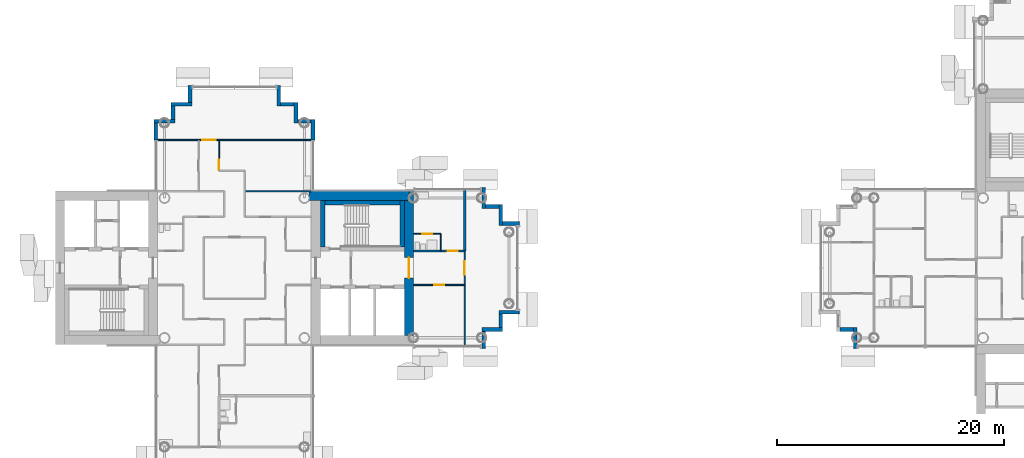
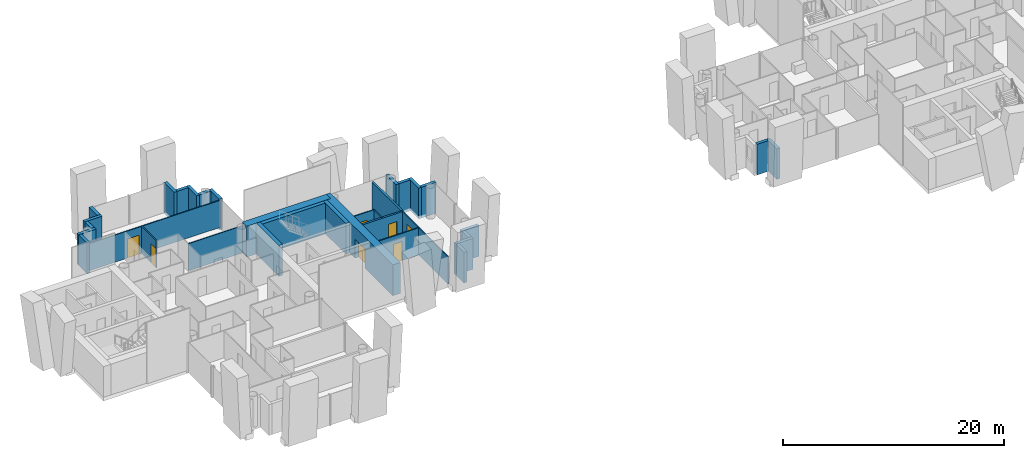
# One storey, part 8 of 19: 34 walls, 7 doors, 7 openings.
"""IFC4 building model written with IfcOpenShell, lengths in metres."""

from ifc_helpers import new_model, si_unit, direction, frame, frame_2d, origin, place, context, subcontext, project, spatial, rectangle, extrude, material, layer, layer_set, type_object, element, fill, save


model = new_model("IFC4")

# Units and contexts
model_context = context("Model", 3, precision=1e-05, world=origin(), true_north=direction((0.0, 1.0)))
body_context = subcontext(model_context, "Body", "Model", "MODEL_VIEW")
ifc_project = project(units=[si_unit("LENGTHUNIT", "METRE"), si_unit("AREAUNIT", "SQUARE_METRE"), si_unit("VOLUMEUNIT", "CUBIC_METRE"), si_unit("PLANEANGLEUNIT", "RADIAN"), si_unit("MASSUNIT", "GRAM", prefix="KILO")], contexts=[model_context])

# Site, building, storey
site_placement = place(None, origin())
site = spatial("IfcSite", under=ifc_project, at=site_placement, CompositionType="ELEMENT")
building_placement = place(site_placement, origin())
building = spatial("IfcBuilding", under=site, at=building_placement, Name="Ipe Terrace Towers", CompositionType="ELEMENT")
storey_placement = place(building_placement, frame((0.0, 0.0, 157.5)))
storey = spatial("IfcBuildingStorey", under=building, at=storey_placement, Name="L43", CompositionType="ELEMENT", Elevation=157.5)

# Walls
ifc_material_1 = material(Name="Concrete C40/50 with buff precast cladding", Category="concrete")
ifc_layer_1 = layer(ifc_material_1, 0.320068359375)
ifc_layer_set_1 = layer_set([ifc_layer_1], Name="BUFF CLADDING WALL 320")
wall_type_1 = type_object("IfcWallType", Name="BUFF CLADDING WALL 320", PredefinedType="STANDARD", material=ifc_layer_set_1)
wall_1_placement = place(storey_placement, frame((-14.090087890625, -7.070068359375, -0.300048828125), z_axis=(0.0, 0.0, 1.0), x_axis=(0.0, 1.0, 0.0)))
element("IfcWall", 1, at=wall_1_placement, inside=storey, type_object=wall_type_1, Name="T1-W-L43-17a wall", PredefinedType="STANDARD", context=body_context, shape_type="SweptSolid", body=[
    extrude(rectangle(XDim=1.5, YDim=0.320068359375, at=frame_2d((0.75, 0.0))), origin(), (0.0, 0.0, 1.0), 3.400146484375),
])
wall_2_placement = place(storey_placement, frame((-14.25, -5.409912109375, -0.300048828125), z_axis=(0.0, 0.0, 1.0), x_axis=(1.0, 0.0, 0.0)))
element("IfcWall", 2, at=wall_2_placement, inside=storey, type_object=wall_type_1, Name="T1-W-L43-18a wall", PredefinedType="STANDARD", context=body_context, shape_type="SweptSolid", body=[
    extrude(rectangle(XDim=1.820068359375, YDim=0.320068359375, at=frame_2d((0.91015625, 0.0))), origin(), (0.0, 0.0, 1.0), 3.400146484375),
])
wall_3_placement = place(storey_placement, frame((-12.590087890625, -5.25, -0.300048828125), z_axis=(0.0, 0.0, 1.0), x_axis=(0.0, 1.0, 0.0)))
element("IfcWall", 3, at=wall_3_placement, inside=storey, type_object=wall_type_1, Name="T1-W-L43-19a wall", PredefinedType="STANDARD", context=body_context, shape_type="SweptSolid", body=[
    extrude(rectangle(XDim=1.179931640625, YDim=0.320068359375, at=frame_2d((0.58984375, 0.0))), origin(), (0.0, 0.0, 1.0), 3.400146484375),
])
wall_4_placement = place(storey_placement, frame((-12.75, -3.909912109375, -0.300048828125), z_axis=(0.0, 0.0, 1.0), x_axis=(1.0, 0.0, 0.0)))
element("IfcWall", 4, at=wall_4_placement, inside=storey, type_object=wall_type_1, Name="T1-W-L43-20a wall", PredefinedType="STANDARD", context=body_context, shape_type="SweptSolid", body=[
    extrude(rectangle(XDim=1.820068359375, YDim=0.320068359375, at=frame_2d((0.91015625, 0.0))), origin(), (0.0, 0.0, 1.0), 3.400146484375),
])
wall_5_placement = place(storey_placement, frame((-10.929931640625, 3.909912109375, -0.300048828125), z_axis=(0.0, 0.0, 1.0), x_axis=(-1.0, 0.0, 0.0)))
element("IfcWall", 5, at=wall_5_placement, inside=storey, type_object=wall_type_1, Name="T1-W-L43-22a wall", PredefinedType="STANDARD", context=body_context, shape_type="SweptSolid", body=[
    extrude(rectangle(XDim=1.5, YDim=0.320068359375, at=frame_2d((0.75, 0.0))), origin(), (0.0, 0.0, 1.0), 3.400146484375),
])
wall_6_placement = place(storey_placement, frame((-12.590087890625, 3.75, -0.300048828125), z_axis=(0.0, 0.0, 1.0), x_axis=(0.0, 1.0, 0.0)))
element("IfcWall", 6, at=wall_6_placement, inside=storey, type_object=wall_type_1, Name="T1-W-L43-23a wall", PredefinedType="STANDARD", context=body_context, shape_type="SweptSolid", body=[
    extrude(rectangle(XDim=1.820068359375, YDim=0.320068359375, at=frame_2d((0.91015625, 0.0))), origin(), (0.0, 0.0, 1.0), 3.400146484375),
])
wall_7_placement = place(storey_placement, frame((-12.75, 5.409912109375, -0.300048828125), z_axis=(0.0, 0.0, 1.0), x_axis=(-1.0, 0.0, 0.0)))
element("IfcWall", 7, at=wall_7_placement, inside=storey, type_object=wall_type_1, Name="T1-W-L43-24a wall", PredefinedType="STANDARD", context=body_context, shape_type="SweptSolid", body=[
    extrude(rectangle(XDim=1.179931640625, YDim=0.320068359375, at=frame_2d((0.58984375, 0.0))), origin(), (0.0, 0.0, 1.0), 3.400146484375),
])
for number, where, z_axis, x_axis, name in (
    (8, (-14.090087890625, 5.25, -0.300048828125), (0.0, 0.0, 1.0), (0.0, 1.0, 0.0), "T1-W-L43-25a wall"),
    (9, (-29.090087890625, 11.25, -0.300048828125), (0.0, 0.0, 1.0), (0.0, 1.0, 0.0), "T1-W-L43-29a wall"),
):
    element("IfcWall", number, at=place(storey_placement, frame(where, z_axis=z_axis, x_axis=x_axis)), inside=storey, type_object=wall_type_1, Name=name, PredefinedType="STANDARD", context=body_context, shape_type="SweptSolid", body=[
        extrude(rectangle(XDim=1.820068359375, YDim=0.320068359375, at=frame_2d((0.91015625, 0.0))), origin(), (0.0, 0.0, 1.0), 3.400146484375),
    ])
wall_8_placement = place(storey_placement, frame((-29.25, 12.909912109375, -0.300048828125), z_axis=(0.0, 0.0, 1.0), x_axis=(-1.0, 0.0, 0.0)))
element("IfcWall", 10, at=wall_8_placement, inside=storey, type_object=wall_type_1, Name="T1-W-L43-30a wall", PredefinedType="STANDARD", context=body_context, shape_type="SweptSolid", body=[
    extrude(rectangle(XDim=1.179931640625, YDim=0.320068359375, at=frame_2d((0.58984375, 0.0))), origin(), (0.0, 0.0, 1.0), 3.400146484375),
])
wall_9_placement = place(storey_placement, frame((-30.590087890625, 12.75, -0.300048828125), z_axis=(0.0, 0.0, 1.0), x_axis=(0.0, 1.0, 0.0)))
element("IfcWall", 11, at=wall_9_placement, inside=storey, type_object=wall_type_1, Name="T1-W-L43-31a wall", PredefinedType="STANDARD", context=body_context, shape_type="SweptSolid", body=[
    extrude(rectangle(XDim=1.820068359375, YDim=0.320068359375, at=frame_2d((0.91015625, 0.0))), origin(), (0.0, 0.0, 1.0), 3.400146484375),
])
wall_10_placement = place(storey_placement, frame((-30.75, 14.409912109375, -0.300048828125), z_axis=(0.0, 0.0, 1.0), x_axis=(-1.0, 0.0, 0.0)))
element("IfcWall", 12, at=wall_10_placement, inside=storey, type_object=wall_type_1, Name="T1-W-L43-32a wall", PredefinedType="STANDARD", context=body_context, shape_type="SweptSolid", body=[
    extrude(rectangle(XDim=1.179931640625, YDim=0.320068359375, at=frame_2d((0.58984375, 0.0))), origin(), (0.0, 0.0, 1.0), 3.400146484375),
])
wall_11_placement = place(storey_placement, frame((-32.090087890625, 14.25, -0.300048828125), z_axis=(0.0, 0.0, 1.0), x_axis=(0.0, 1.0, 0.0)))
element("IfcWall", 13, at=wall_11_placement, inside=storey, type_object=wall_type_1, Name="T1-W-L43-33a wall", PredefinedType="STANDARD", context=body_context, shape_type="SweptSolid", body=[
    extrude(rectangle(XDim=1.820068359375, YDim=0.320068359375, at=frame_2d((0.91015625, 0.0))), origin(), (0.0, 0.0, 1.0), 3.400146484375),
])
wall_12_placement = place(storey_placement, frame((-39.909912109375, 16.070068359375, -0.300048828125), z_axis=(0.0, 0.0, 1.0), x_axis=(0.0, -1.0, 0.0)))
element("IfcWall", 14, at=wall_12_placement, inside=storey, type_object=wall_type_1, Name="T1-W-L43-35a wall", PredefinedType="STANDARD", context=body_context, shape_type="SweptSolid", body=[
    extrude(rectangle(XDim=1.5, YDim=0.320068359375, at=frame_2d((0.75, 0.0))), origin(), (0.0, 0.0, 1.0), 3.400146484375),
])
wall_13_placement = place(storey_placement, frame((-39.75, 14.409912109375, -0.300048828125), z_axis=(0.0, 0.0, 1.0), x_axis=(-1.0, 0.0, 0.0)))
element("IfcWall", 15, at=wall_13_placement, inside=storey, type_object=wall_type_1, Name="T1-W-L43-36a wall", PredefinedType="STANDARD", context=body_context, shape_type="SweptSolid", body=[
    extrude(rectangle(XDim=1.820068359375, YDim=0.320068359375, at=frame_2d((0.91015625, 0.0))), origin(), (0.0, 0.0, 1.0), 3.400146484375),
])
wall_14_placement = place(storey_placement, frame((-41.409912109375, 14.25, -0.300048828125), z_axis=(0.0, 0.0, 1.0), x_axis=(0.0, -1.0, 0.0)))
element("IfcWall", 16, at=wall_14_placement, inside=storey, type_object=wall_type_1, Name="T1-W-L43-37a wall", PredefinedType="STANDARD", context=body_context, shape_type="SweptSolid", body=[
    extrude(rectangle(XDim=1.179931640625, YDim=0.320068359375, at=frame_2d((0.58984375, 0.0))), origin(), (0.0, 0.0, 1.0), 3.400146484375),
])
wall_15_placement = place(storey_placement, frame((-41.25, 12.909912109375, -0.300048828125), z_axis=(0.0, 0.0, 1.0), x_axis=(-1.0, 0.0, 0.0)))
element("IfcWall", 17, at=wall_15_placement, inside=storey, type_object=wall_type_1, Name="T1-W-L43-38a wall", PredefinedType="STANDARD", context=body_context, shape_type="SweptSolid", body=[
    extrude(rectangle(XDim=1.820068359375, YDim=0.320068359375, at=frame_2d((0.91015625, 0.0))), origin(), (0.0, 0.0, 1.0), 3.400146484375),
])
wall_16_placement = place(storey_placement, frame((-42.909912109375, 12.75, -0.300048828125), z_axis=(0.0, 0.0, 1.0), x_axis=(0.0, -1.0, 0.0)))
element("IfcWall", 18, at=wall_16_placement, inside=storey, type_object=wall_type_1, Name="T1-W-L43-39a wall", PredefinedType="STANDARD", context=body_context, shape_type="SweptSolid", body=[
    extrude(rectangle(XDim=1.5, YDim=0.320068359375, at=frame_2d((0.75, 0.0))), origin(), (0.0, 0.0, 1.0), 3.400146484375),
])
wall_17_placement = place(storey_placement, frame((17.25, -5.409912109375, -0.300048828125), z_axis=(0.0, 0.0, 1.0), x_axis=(1.0, 0.0, 0.0)))
element("IfcWall", 19, at=wall_17_placement, inside=storey, type_object=wall_type_1, Name="T2-W-L43-37a wall", PredefinedType="STANDARD", context=body_context, shape_type="SweptSolid", body=[
    extrude(rectangle(XDim=1.179931640625, YDim=0.320068359375, at=frame_2d((0.58984375, 0.0))), origin(), (0.0, 0.0, 1.0), 3.400146484375),
])
wall_18_placement = place(storey_placement, frame((18.590087890625, -5.25, -0.300048828125), z_axis=(0.0, 0.0, 1.0), x_axis=(0.0, -1.0, 0.0)))
element("IfcWall", 20, at=wall_18_placement, inside=storey, type_object=wall_type_1, Name="T2-W-L43-38a wall", PredefinedType="STANDARD", context=body_context, shape_type="SweptSolid", body=[
    extrude(rectangle(XDim=1.820068359375, YDim=0.320068359375, at=frame_2d((0.91015625, 0.0))), origin(), (0.0, 0.0, 1.0), 3.400146484375),
])

# Wall, opening, door
ifc_material_2 = material(Name="Gypsum board partition", Category="plasterboard")
ifc_layer_2 = layer(ifc_material_2, 0.10009765625)
ifc_layer_set_2 = layer_set([ifc_layer_2], Name="Gypsum board partition 100 mm")
wall_type_2 = type_object("IfcWallType", Name="Gypsum board partition 100 mm", PredefinedType="PARTITIONING", material=ifc_layer_set_2)
wall_19_placement = place(storey_placement, frame((-37.35009765625, 8.550048828125, 0.0), z_axis=(0.0, 0.0, 1.0), x_axis=(0.0, 1.0, 0.0)))
wall_19 = element("IfcWall", 21, at=wall_19_placement, inside=storey, type_object=wall_type_2, Name="Gypsum board partition T1 L43 W07", PredefinedType="PARTITIONING", context=body_context, shape_type="SweptSolid", body=[
    extrude(rectangle(XDim=2.699951171875, YDim=0.10009765625, at=frame_2d((1.35009765625, 0.0))), origin(), (0.0, 0.0, 1.0), 3.0),
])
opening_1_placement = place(wall_19_placement, frame((0.070068359375, 0.0, 0.0)))
opening_1 = element("IfcOpeningElement", 22, at=opening_1_placement, cuts=wall_19, Name="Opening T1-Z3C-11", PredefinedType="OPENING", context=body_context, shape_type="SweptSolid", body=[
    extrude(rectangle(XDim=0.89990234375, YDim=2.10009765625, at=frame_2d((0.449951171875, 1.050048828125))), frame((0.0, 0.06005859375, 0.0), z_axis=(0.0, -1.0, 0.0), x_axis=(1.0, 0.0, 0.0)), (0.0, 0.0, 1.0), 0.1201171875),
])
ifc_material_3 = material(Name="Timber door leaf", Category="wood")
door_type_1 = type_object("IfcDoorType", Name="Lounge door 900 x 2100", OperationType="NOTDEFINED", PredefinedType="DOOR", material=ifc_material_3)
door_1_placement = place(opening_1_placement, origin())
door_1 = element("IfcDoor", 23, at=door_1_placement, inside=storey, type_object=door_type_1, Name="Lounge door T1-Z3C-11", OperationType="SINGLE_SWING_LEFT", OverallHeight=2.10009765625, OverallWidth=0.89990234375, PredefinedType="DOOR", context=body_context, shape_type="SweptSolid", body=[
    extrude(rectangle(XDim=0.89990234375, YDim=2.10009765625, at=frame_2d((0.449951171875, 1.050048828125))), frame((0.0, 0.02490234375, 0.0), z_axis=(0.0, -1.0, 0.0), x_axis=(1.0, 0.0, 0.0)), (0.0, 0.0, 1.0), 0.050048828125),
])
fill(opening_1, door_1)

# Wall
wall_20_placement = place(storey_placement, frame((-17.85009765625, 1.5, 0.0), z_axis=(0.0, 0.0, 1.0), x_axis=(0.0, 1.0, 0.0)))
element("IfcWall", 24, at=wall_20_placement, inside=storey, type_object=wall_type_2, Name="Gypsum board partition T1 L43 W17", PredefinedType="PARTITIONING", context=body_context, shape_type="SweptSolid", body=[
    extrude(rectangle(XDim=1.5, YDim=0.10009765625, at=frame_2d((0.75, 0.0))), origin(), (0.0, 0.0, 1.0), 3.0),
])

# Wall, opening, door
wall_21_placement = place(storey_placement, frame((-15.75, -6.85009765625, 0.0), z_axis=(0.0, 0.0, 1.0), x_axis=(0.0, 1.0, 0.0)))
wall_21 = element("IfcWall", 25, at=wall_21_placement, inside=storey, type_object=wall_type_2, Name="Gypsum board partition T1 L43 W18", PredefinedType="PARTITIONING", context=body_context, shape_type="SweptSolid", body=[
    extrude(rectangle(XDim=8.35009765625, YDim=0.10009765625, at=frame_2d((4.175048828125, 0.0))), origin(), (0.0, 0.0, 1.0), 3.0),
])
opening_2_placement = place(wall_21_placement, frame((6.25, 0.0, 0.0)))
opening_2 = element("IfcOpeningElement", 26, at=opening_2_placement, cuts=wall_21, Name="Opening T1-Z3C-21", PredefinedType="OPENING", context=body_context, shape_type="SweptSolid", body=[
    extrude(rectangle(XDim=1.199951171875, YDim=2.10009765625, at=frame_2d((0.60009765625, 1.050048828125))), frame((0.0, 0.06005859375, 0.0), z_axis=(0.0, -1.0, 0.0), x_axis=(1.0, 0.0, 0.0)), (0.0, 0.0, 1.0), 0.1201171875),
])
ifc_material_4 = material(Name="Timber door leaf", Category="wood")
door_type_2 = type_object("IfcDoorType", Name="Lounge door 1200 x 2100", OperationType="NOTDEFINED", PredefinedType="DOOR", material=ifc_material_4)
door_2_placement = place(opening_2_placement, origin())
door_2 = element("IfcDoor", 27, at=door_2_placement, inside=storey, type_object=door_type_2, Name="Lounge door T1-Z3C-21", OperationType="SINGLE_SWING_RIGHT", OverallHeight=2.10009765625, OverallWidth=1.199951171875, PredefinedType="DOOR", context=body_context, shape_type="SweptSolid", body=[
    extrude(rectangle(XDim=1.199951171875, YDim=2.10009765625, at=frame_2d((0.60009765625, 1.050048828125))), frame((0.0, 0.02490234375, 0.0), z_axis=(0.0, -1.0, 0.0), x_axis=(1.0, 0.0, 0.0)), (0.0, 0.0, 1.0), 0.050048828125),
])
fill(opening_2, door_2)

wall_22_placement = place(storey_placement, frame((-20.25, -1.5, 0.0), z_axis=(0.0, 0.0, 1.0), x_axis=(1.0, 0.0, 0.0)))
wall_22 = element("IfcWall", 28, at=wall_22_placement, inside=storey, type_object=wall_type_2, Name="Gypsum board partition T1 L43 W32", PredefinedType="PARTITIONING", context=body_context, shape_type="SweptSolid", body=[
    extrude(rectangle(XDim=4.5, YDim=0.10009765625, at=frame_2d((2.25, 0.0))), origin(), (0.0, 0.0, 1.0), 3.0),
])
opening_3_placement = place(wall_22_placement, frame((1.800048828125, 0.0, 0.0)))
opening_3 = element("IfcOpeningElement", 29, at=opening_3_placement, cuts=wall_22, Name="Opening T1-Z3C-20", PredefinedType="OPENING", context=body_context, shape_type="SweptSolid", body=[
    extrude(rectangle(XDim=0.89990234375, YDim=2.10009765625, at=frame_2d((0.449951171875, 1.050048828125))), frame((0.0, 0.06005859375, 0.0), z_axis=(0.0, -1.0, 0.0), x_axis=(1.0, 0.0, 0.0)), (0.0, 0.0, 1.0), 0.1201171875),
])
door_3_placement = place(opening_3_placement, origin())
door_3 = element("IfcDoor", 30, at=door_3_placement, inside=storey, type_object=door_type_1, Name="Lounge door T1-Z3C-20", OperationType="SINGLE_SWING_RIGHT", OverallHeight=2.10009765625, OverallWidth=0.89990234375, PredefinedType="DOOR", context=body_context, shape_type="SweptSolid", body=[
    extrude(rectangle(XDim=0.89990234375, YDim=2.10009765625, at=frame_2d((0.449951171875, 1.050048828125))), frame((0.0, 0.02490234375, 0.0), z_axis=(0.0, -1.0, 0.0), x_axis=(1.0, 0.0, 0.0)), (0.0, 0.0, 1.0), 0.050048828125),
])
fill(opening_3, door_3)

wall_23_placement = place(storey_placement, frame((-20.25, 3.0, 0.0), z_axis=(0.0, 0.0, 1.0), x_axis=(1.0, 0.0, 0.0)))
wall_23 = element("IfcWall", 31, at=wall_23_placement, inside=storey, type_object=wall_type_2, Name="Gypsum board partition T1 L43 W37", PredefinedType="PARTITIONING", context=body_context, shape_type="SweptSolid", body=[
    extrude(rectangle(XDim=2.39990234375, YDim=0.10009765625, at=frame_2d((1.199951171875, 0.0))), origin(), (0.0, 0.0, 1.0), 3.0),
])
opening_4_placement = place(wall_23_placement, frame((0.75, 0.0, 0.0)))
opening_4 = element("IfcOpeningElement", 32, at=opening_4_placement, cuts=wall_23, Name="Opening T1-Z3C-19", PredefinedType="OPENING", context=body_context, shape_type="SweptSolid", body=[
    extrude(rectangle(XDim=0.89990234375, YDim=2.10009765625, at=frame_2d((0.449951171875, 1.050048828125))), frame((0.0, 0.06005859375, 0.0), z_axis=(0.0, -1.0, 0.0), x_axis=(1.0, 0.0, 0.0)), (0.0, 0.0, 1.0), 0.1201171875),
])
ifc_material_5 = material(Name="Timber door leaf", Category="wood")
door_type_3 = type_object("IfcDoorType", Name="Bathroom door 900 x 2100", OperationType="NOTDEFINED", PredefinedType="DOOR", material=ifc_material_5)
door_4_placement = place(opening_4_placement, origin())
door_4 = element("IfcDoor", 33, at=door_4_placement, inside=storey, type_object=door_type_3, Name="Bathroom door T1-Z3C-19", OperationType="SINGLE_SWING_RIGHT", OverallHeight=2.10009765625, OverallWidth=0.89990234375, PredefinedType="DOOR", context=body_context, shape_type="SweptSolid", body=[
    extrude(rectangle(XDim=0.89990234375, YDim=2.10009765625, at=frame_2d((0.449951171875, 1.050048828125))), frame((0.0, 0.02490234375, 0.0), z_axis=(0.0, -1.0, 0.0), x_axis=(1.0, 0.0, 0.0)), (0.0, 0.0, 1.0), 0.050048828125),
])
fill(opening_4, door_4)

# Wall
wall_24_placement = place(storey_placement, frame((-35.10009765625, 6.75, 0.0), z_axis=(0.0, 0.0, 1.0), x_axis=(1.0, 0.0, 0.0)))
element("IfcWall", 34, at=wall_24_placement, inside=storey, type_object=wall_type_2, Name="Gypsum board partition T1 L43 W42", PredefinedType="PARTITIONING", context=body_context, shape_type="SweptSolid", body=[
    extrude(rectangle(XDim=5.9501953125, YDim=0.10009765625, at=frame_2d((2.97509765625, 0.0))), origin(), (0.0, 0.0, 1.0), 3.0),
])

# Wall, opening, door
wall_25_placement = place(storey_placement, frame((-42.85009765625, 11.25, 0.0), z_axis=(0.0, 0.0, 1.0), x_axis=(1.0, 0.0, 0.0)))
wall_25 = element("IfcWall", 35, at=wall_25_placement, inside=storey, type_object=wall_type_2, Name="Gypsum board partition T1 L43 W44", PredefinedType="PARTITIONING", context=body_context, shape_type="SweptSolid", body=[
    extrude(rectangle(XDim=13.7001953125, YDim=0.10009765625, at=frame_2d((6.85009765625, 0.0))), origin(), (0.0, 0.0, 1.0), 3.0),
])
opening_5_placement = place(wall_25_placement, frame((4.0, 0.0, 0.0)))
opening_5 = element("IfcOpeningElement", 36, at=opening_5_placement, cuts=wall_25, Name="Opening T1-Z3C-12", PredefinedType="OPENING", context=body_context, shape_type="SweptSolid", body=[
    extrude(rectangle(XDim=1.199951171875, YDim=2.10009765625, at=frame_2d((0.60009765625, 1.050048828125))), frame((0.0, 0.06005859375, 0.0), z_axis=(0.0, -1.0, 0.0), x_axis=(1.0, 0.0, 0.0)), (0.0, 0.0, 1.0), 0.1201171875),
])
door_5_placement = place(opening_5_placement, origin())
door_5 = element("IfcDoor", 37, at=door_5_placement, inside=storey, type_object=door_type_2, Name="Lounge door T1-Z3C-12", OperationType="SINGLE_SWING_RIGHT", OverallHeight=2.10009765625, OverallWidth=1.199951171875, PredefinedType="DOOR", context=body_context, shape_type="SweptSolid", body=[
    extrude(rectangle(XDim=1.199951171875, YDim=2.10009765625, at=frame_2d((0.60009765625, 1.050048828125))), frame((0.0, 0.02490234375, 0.0), z_axis=(0.0, -1.0, 0.0), x_axis=(1.0, 0.0, 0.0)), (0.0, 0.0, 1.0), 0.050048828125),
])
fill(opening_5, door_5)

# Wall
ifc_material_6 = material(Name="Gypsum board party wall", Category="plasterboard")
ifc_layer_3 = layer(ifc_material_6, 0.199951171875)
ifc_layer_set_3 = layer_set([ifc_layer_3], Name="Gypsum board party wall 200 mm")
wall_type_3 = type_object("IfcWallType", Name="Gypsum board party wall 200 mm", PredefinedType="SOLIDWALL", material=ifc_layer_set_3)
wall_26_placement = place(storey_placement, frame((-15.75, 1.5, 0.0), z_axis=(0.0, 0.0, 1.0), x_axis=(0.0, 1.0, 0.0)))
element("IfcWall", 38, at=wall_26_placement, inside=storey, type_object=wall_type_3, Name="Gypsum board party wall T1 L43 W19", PredefinedType="SOLIDWALL", context=body_context, shape_type="SweptSolid", body=[
    extrude(rectangle(XDim=5.35009765625, YDim=0.199951171875, at=frame_2d((2.675048828125, 0.0))), origin(), (0.0, 0.0, 1.0), 3.0),
])

# Wall, opening, door
wall_27_placement = place(storey_placement, frame((-20.25, 1.5, 0.0), z_axis=(0.0, 0.0, 1.0), x_axis=(1.0, 0.0, 0.0)))
wall_27 = element("IfcWall", 39, at=wall_27_placement, inside=storey, type_object=wall_type_3, Name="Gypsum board party wall T1 L43 W35", PredefinedType="SOLIDWALL", context=body_context, shape_type="SweptSolid", body=[
    extrude(rectangle(XDim=4.5, YDim=0.199951171875, at=frame_2d((2.25, 0.0))), origin(), (0.0, 0.0, 1.0), 3.0),
])
opening_6_placement = place(wall_27_placement, frame((3.0, 0.0, 0.0)))
opening_6 = element("IfcOpeningElement", 40, at=opening_6_placement, cuts=wall_27, Name="Opening T1-Z3C-18", PredefinedType="OPENING", context=body_context, shape_type="SweptSolid", body=[
    extrude(rectangle(XDim=0.89990234375, YDim=2.10009765625, at=frame_2d((0.449951171875, 1.050048828125))), frame((0.0, 0.10986328125, 0.0), z_axis=(0.0, -1.0, 0.0), x_axis=(1.0, 0.0, 0.0)), (0.0, 0.0, 1.0), 0.219970703125),
])
ifc_material_7 = material(Name="Fire-rated timber door leaf", Category="wood")
door_type_4 = type_object("IfcDoorType", Name="Flat entrance door 900 x 2100 FD30S", OperationType="NOTDEFINED", PredefinedType="DOOR", material=ifc_material_7)
door_6_placement = place(opening_6_placement, origin())
door_6 = element("IfcDoor", 41, at=door_6_placement, inside=storey, type_object=door_type_4, Name="Flat entrance door T1-Z3C-18", OperationType="SINGLE_SWING_LEFT", OverallHeight=2.10009765625, OverallWidth=0.89990234375, PredefinedType="DOOR", context=body_context, shape_type="SweptSolid", body=[
    extrude(rectangle(XDim=0.89990234375, YDim=2.10009765625, at=frame_2d((0.449951171875, 1.050048828125))), frame((0.0, 0.02490234375, 0.0), z_axis=(0.0, -1.0, 0.0), x_axis=(1.0, 0.0, 0.0)), (0.0, 0.0, 1.0), 0.050048828125),
])
fill(opening_6, door_6)

# Walls
ifc_material_8 = material(Name="Concrete C50/60", Category="concrete")
ifc_layer_4 = layer(ifc_material_8, 0.39990234375)
ifc_layer_set_4 = layer_set([ifc_layer_4], Name="RW400 CORE INFILL WALL 400 C50-60")
wall_type_4 = type_object("IfcWallType", Name="RW400 CORE INFILL WALL 400 C50-60", PredefinedType="SHEAR", material=ifc_layer_set_4)
wall_28_placement = place(storey_placement, frame((-21.25, 1.85009765625, 0.0), z_axis=(0.0, 0.0, 1.0), x_axis=(0.0, 1.0, 0.0)))
element("IfcWall", 42, at=wall_28_placement, inside=storey, type_object=wall_type_4, Name="Core infill wall T1-C1-far", PredefinedType="SHEAR", context=body_context, shape_type="SweptSolid", body=[
    extrude(rectangle(XDim=4.099853515625, YDim=0.39990234375, at=frame_2d((2.0498046875, 0.0))), origin(), (0.0, 0.0, 1.0), 3.39990234375),
])
wall_29_placement = place(storey_placement, frame((-28.050048828125, 5.75, 0.0), z_axis=(0.0, 0.0, 1.0), x_axis=(1.0, 0.0, 0.0)))
element("IfcWall", 43, at=wall_29_placement, inside=storey, type_object=wall_type_4, Name="Core infill wall T1-C1-back", PredefinedType="SHEAR", context=body_context, shape_type="SweptSolid", body=[
    extrude(rectangle(XDim=6.60009765625, YDim=0.39990234375, at=frame_2d((3.300048828125, 0.0))), origin(), (0.0, 0.0, 1.0), 3.39990234375),
])
wall_30_placement = place(storey_placement, frame((-28.25, 1.85009765625, 0.0), z_axis=(0.0, 0.0, 1.0), x_axis=(0.0, 1.0, 0.0)))
element("IfcWall", 44, at=wall_30_placement, inside=storey, type_object=wall_type_4, Name="Core infill wall T1-C1-near", PredefinedType="SHEAR", context=body_context, shape_type="SweptSolid", body=[
    extrude(rectangle(XDim=4.099853515625, YDim=0.39990234375, at=frame_2d((2.0498046875, 0.0))), origin(), (0.0, 0.0, 1.0), 3.39990234375),
])

# Wall, opening, door
ifc_material_9 = material(Name="Concrete C50/60", Category="concrete")
ifc_layer_5 = layer(ifc_material_9, 0.800048828125)
ifc_layer_set_5 = layer_set([ifc_layer_5], Name="RW800 CORE WALL 800 C50-60")
wall_type_5 = type_object("IfcWallType", Name="RW800 CORE WALL 800 C50-60", PredefinedType="SHEAR", material=ifc_layer_set_5)
wall_31_placement = place(storey_placement, frame((-20.64990234375, -5.949951171875, 0.0), z_axis=(0.0, 0.0, 1.0), x_axis=(0.0, 1.0, 0.0)))
wall_31 = element("IfcWall", 45, at=wall_31_placement, inside=storey, type_object=wall_type_5, Name="Core wall T1-C1-Z3-W02", PredefinedType="SHEAR", context=body_context, shape_type="SweptSolid", body=[
    extrude(rectangle(XDim=12.699951171875, YDim=0.800048828125, at=frame_2d((6.35009765625, 0.0))), origin(), (0.0, 0.0, 1.0), 3.39990234375),
])
opening_7_placement = place(wall_31_placement, frame((5.050048828125, 0.0, 0.0)))
opening_7 = element("IfcOpeningElement", 46, at=opening_7_placement, cuts=wall_31, Name="Opening T1C1-FD", PredefinedType="OPENING", context=body_context, shape_type="SweptSolid", body=[
    extrude(rectangle(XDim=1.800048828125, YDim=2.10009765625, at=frame_2d((0.89990234375, 1.050048828125))), frame((0.0, 0.41015625, 0.0), z_axis=(0.0, -1.0, 0.0), x_axis=(1.0, 0.0, 0.0)), (0.0, 0.0, 1.0), 0.820068359375),
])
ifc_material_10 = material(Name="Fire-rated timber door leaf", Category="wood")
door_type_5 = type_object("IfcDoorType", Name="Fire door 1800 x 2100 FD30S", OperationType="NOTDEFINED", PredefinedType="DOOR", material=ifc_material_10)
door_7_placement = place(opening_7_placement, origin())
door_7 = element("IfcDoor", 47, at=door_7_placement, inside=storey, type_object=door_type_5, Name="Fire door T1C1-FD", OperationType="SINGLE_SWING_LEFT", OverallHeight=2.10009765625, OverallWidth=1.800048828125, PredefinedType="DOOR", context=body_context, shape_type="SweptSolid", body=[
    extrude(rectangle(XDim=1.800048828125, YDim=2.10009765625, at=frame_2d((0.89990234375, 1.050048828125))), frame((0.0, 0.02490234375, 0.0), z_axis=(0.0, -1.0, 0.0), x_axis=(1.0, 0.0, 0.0)), (0.0, 0.0, 1.0), 0.050048828125),
])
fill(opening_7, door_7)

# Wall
wall_32_placement = place(storey_placement, frame((-20.652099609375, 6.35009765625, 0.0), z_axis=(0.0, 0.0, 1.0), x_axis=(-1.0, 0.0, 0.0)))
element("IfcWall", 48, at=wall_32_placement, inside=storey, type_object=wall_type_5, Name="Core wall T1-C1-Z3-W03", PredefinedType="SHEAR", context=body_context, shape_type="SweptSolid", body=[
    extrude(rectangle(XDim=8.7958984375, YDim=0.800048828125, at=frame_2d((4.39794921875, 0.0))), origin(), (0.0, 0.0, 1.0), 3.39990234375),
])

save(model, "model.ifc")
